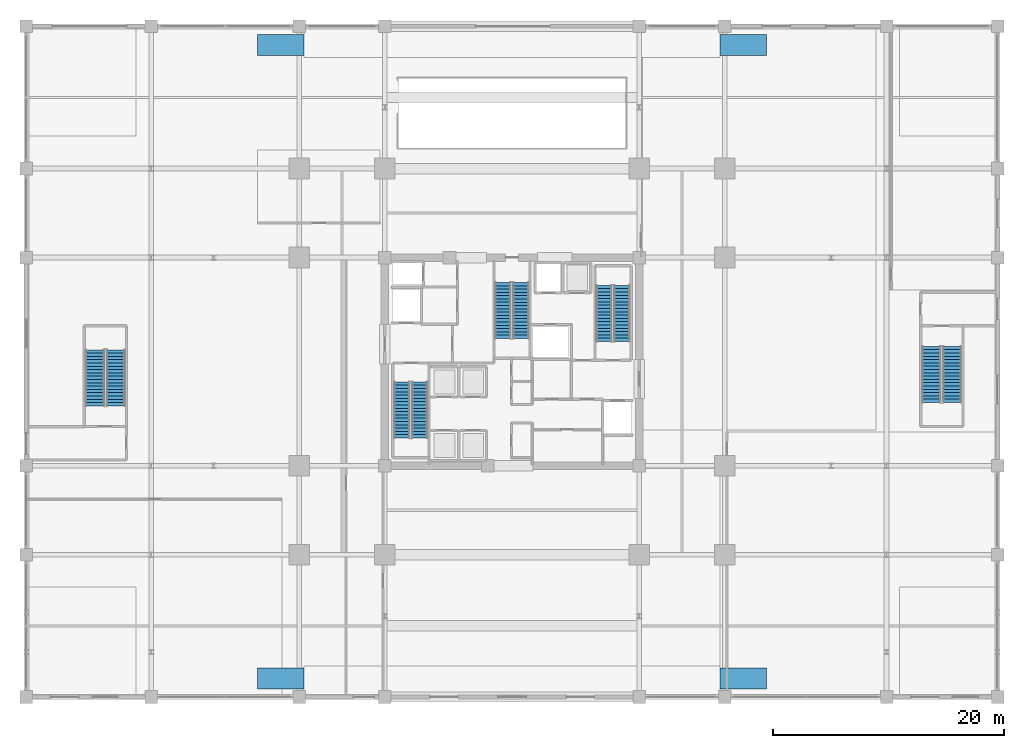
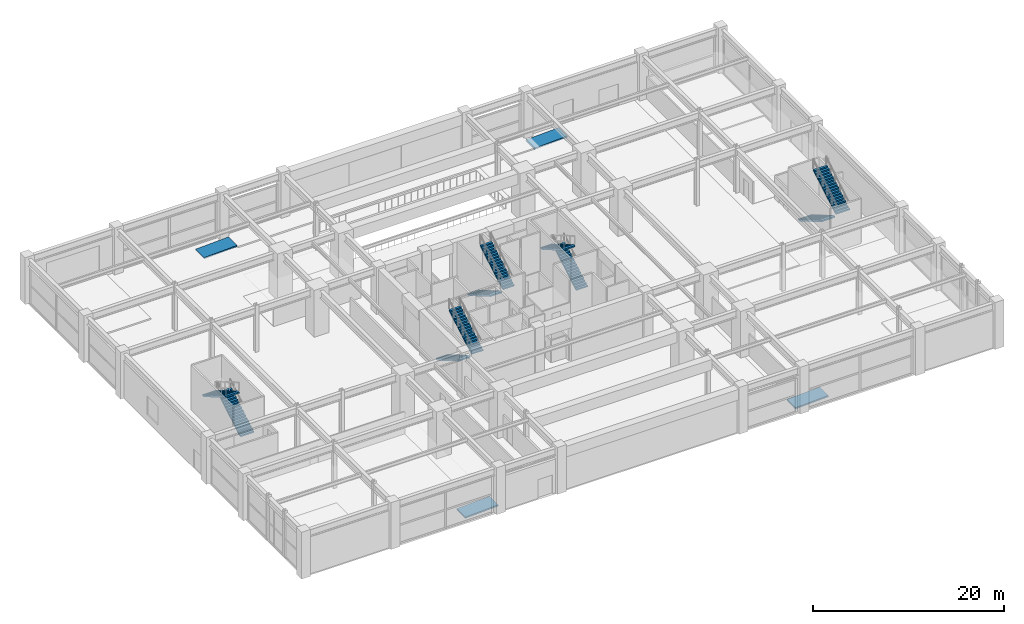
# One storey, part 34 of 41: 10 stair flights, 4 ramp flights, 9 elements without a shape of their own.
"""IFC4 building model written with IfcOpenShell, lengths in metres."""

from ifc_helpers import new_model, si_unit, direction, frame, origin, place, context, subcontext, project, spatial, polyline, outline, extrude, material, layer, layer_set, type_object, element, aggregate, save


model = new_model("IFC4")

# Units and contexts
model_context = context("Model", 3, precision=1e-05, world=origin(), true_north=direction((0.0, 1.0)))
body_context = subcontext(model_context, "Body", "Model", "MODEL_VIEW")
ifc_project = project(units=[si_unit("LENGTHUNIT", "METRE"), si_unit("AREAUNIT", "SQUARE_METRE"), si_unit("VOLUMEUNIT", "CUBIC_METRE"), si_unit("PLANEANGLEUNIT", "RADIAN"), si_unit("MASSUNIT", "GRAM", prefix="KILO")], contexts=[model_context])

# Site, building, storey
site_placement = place(None, origin())
site = spatial("IfcSite", under=ifc_project, at=site_placement, CompositionType="ELEMENT")
building_placement = place(site_placement, origin())
building = spatial("IfcBuilding", under=site, at=building_placement, Name="Kovane Verandah Tower", CompositionType="ELEMENT")
storey_placement = place(building_placement, origin())
storey = spatial("IfcBuildingStorey", under=building, at=storey_placement, Name="L00", CompositionType="ELEMENT", Elevation=0.0)

# Stair, stair flights
ifc_material = material(Name="Concrete C45/55", Category="concrete")
stair_type = type_object("IfcStairType", Name="ST-CORE-1380", PredefinedType="HALF_TURN_STAIR", material=ifc_material)
stair_1_placement = place(storey_placement, origin())
stair_1 = element("IfcStair", 1, at=stair_1_placement, inside=storey, type_object=stair_type, Name="L00 Exit Stair ST-01", PredefinedType="HALF_TURN_STAIR")
stair_flight_type = type_object("IfcStairFlightType", Name="STF-CORE-1380", PredefinedType="STRAIGHT", material=ifc_material)
stair_flight_1_placement = place(storey_placement, frame((30.489990234375, 25.75, 0.0), z_axis=(0.0, 0.0, 1.0), x_axis=(0.0, -1.0, 0.0)))
stair_flight_1 = element("IfcStairFlight", 2, at=stair_flight_1_placement, type_object=stair_flight_type, Name="ST-01 flight 1", NumberOfRisers=18, NumberOfTreads=17, PredefinedType="STRAIGHT", RiserHeight=0.166666667, TreadLength=0.285, context=body_context, shape_type="SweptSolid", body=[
    extrude(outline(polyline([(0.0, 0.0), (0.0, 0.166748046875), (0.284912109375, 0.166748046875), (0.284912109375, 0.333251953125), (0.570068359375, 0.333251953125), (0.570068359375, 0.5), (0.85498046875, 0.5), (0.85498046875, 0.666748046875), (1.139892578125, 0.666748046875), (1.139892578125, 0.833251953125), (1.425048828125, 0.833251953125), (1.425048828125, 1.0), (1.7099609375, 1.0), (1.7099609375, 1.166748046875), (1.9951171875, 1.166748046875), (1.9951171875, 1.333251953125), (2.280029296875, 1.333251953125), (2.280029296875, 1.5), (2.56494140625, 1.5), (2.56494140625, 1.666748046875), (2.85009765625, 1.666748046875), (2.85009765625, 1.833251953125), (3.135009765625, 1.833251953125), (3.135009765625, 2.0), (3.419921875, 2.0), (3.419921875, 2.166748046875), (3.705078125, 2.166748046875), (3.705078125, 2.333251953125), (3.989990234375, 2.333251953125), (3.989990234375, 2.5), (4.27490234375, 2.5), (4.27490234375, 2.666748046875), (4.56005859375, 2.666748046875), (4.56005859375, 2.833251953125), (4.844970703125, 2.833251953125), (4.844970703125, 3.0), (4.844970703125, 2.65966796875), (0.296875, 0.0), (0.0, 0.0)])), frame((0.0, 0.68994140625, 0.0), z_axis=(0.0, -1.0, 0.0), x_axis=(1.0, 0.0, 0.0)), (0.0, 0.0, 1.0), 1.3798828125),
])
stair_flight_2_placement = place(storey_placement, frame((32.030029296875, 20.905029296875, 3.0), z_axis=(0.0, 0.0, 1.0), x_axis=(0.0, 1.0, 0.0)))
stair_flight_2 = element("IfcStairFlight", 3, at=stair_flight_2_placement, type_object=stair_flight_type, Name="ST-01 flight 2", NumberOfRisers=18, NumberOfTreads=17, PredefinedType="STRAIGHT", RiserHeight=0.166666667, TreadLength=0.285, context=body_context, shape_type="SweptSolid", body=[
    extrude(outline(polyline([(0.0, 0.0), (0.0, 0.166748046875), (0.284912109375, 0.166748046875), (0.284912109375, 0.333251953125), (0.570068359375, 0.333251953125), (0.570068359375, 0.5), (0.85498046875, 0.5), (0.85498046875, 0.666748046875), (1.139892578125, 0.666748046875), (1.139892578125, 0.833251953125), (1.425048828125, 0.833251953125), (1.425048828125, 1.0), (1.7099609375, 1.0), (1.7099609375, 1.166748046875), (1.9951171875, 1.166748046875), (1.9951171875, 1.333251953125), (2.280029296875, 1.333251953125), (2.280029296875, 1.5), (2.56494140625, 1.5), (2.56494140625, 1.666748046875), (2.85009765625, 1.666748046875), (2.85009765625, 1.833251953125), (3.135009765625, 1.833251953125), (3.135009765625, 2.0), (3.419921875, 2.0), (3.419921875, 2.166748046875), (3.705078125, 2.166748046875), (3.705078125, 2.333251953125), (3.989990234375, 2.333251953125), (3.989990234375, 2.5), (4.27490234375, 2.5), (4.27490234375, 2.666748046875), (4.56005859375, 2.666748046875), (4.56005859375, 2.833251953125), (4.844970703125, 2.833251953125), (4.844970703125, 3.0), (4.844970703125, 2.65966796875), (0.296875, 0.0), (0.0, 0.0)])), frame((0.0, 0.68994140625, 0.0), z_axis=(0.0, -1.0, 0.0), x_axis=(1.0, 0.0, 0.0)), (0.0, 0.0, 1.0), 1.3798828125),
])
aggregate(stair_1, [stair_flight_1, stair_flight_2])

stair_2_placement = place(storey_placement, origin())
stair_2 = element("IfcStair", 4, at=stair_2_placement, inside=storey, type_object=stair_type, Name="L00 Exit Stair ST-02", PredefinedType="HALF_TURN_STAIR")
stair_flight_3_placement = place(storey_placement, frame((49.510009765625, 29.25, 0.0), z_axis=(0.0, 0.0, 1.0), x_axis=(0.0, 1.0, 0.0)))
stair_flight_3 = element("IfcStairFlight", 5, at=stair_flight_3_placement, type_object=stair_flight_type, Name="ST-02 flight 1", NumberOfRisers=18, NumberOfTreads=17, PredefinedType="STRAIGHT", RiserHeight=0.166666667, TreadLength=0.285, context=body_context, shape_type="SweptSolid", body=[
    extrude(outline(polyline([(0.0, 0.0), (0.0, 0.166748046875), (0.284912109375, 0.166748046875), (0.284912109375, 0.333251953125), (0.570068359375, 0.333251953125), (0.570068359375, 0.5), (0.85498046875, 0.5), (0.85498046875, 0.666748046875), (1.139892578125, 0.666748046875), (1.139892578125, 0.833251953125), (1.425048828125, 0.833251953125), (1.425048828125, 1.0), (1.7099609375, 1.0), (1.7099609375, 1.166748046875), (1.9951171875, 1.166748046875), (1.9951171875, 1.333251953125), (2.280029296875, 1.333251953125), (2.280029296875, 1.5), (2.56494140625, 1.5), (2.56494140625, 1.666748046875), (2.85009765625, 1.666748046875), (2.85009765625, 1.833251953125), (3.135009765625, 1.833251953125), (3.135009765625, 2.0), (3.419921875, 2.0), (3.419921875, 2.166748046875), (3.705078125, 2.166748046875), (3.705078125, 2.333251953125), (3.989990234375, 2.333251953125), (3.989990234375, 2.5), (4.27490234375, 2.5), (4.27490234375, 2.666748046875), (4.56005859375, 2.666748046875), (4.56005859375, 2.833251953125), (4.844970703125, 2.833251953125), (4.844970703125, 3.0), (4.844970703125, 2.65966796875), (0.296875, 0.0), (0.0, 0.0)])), frame((0.0, 0.68994140625, 0.0), z_axis=(0.0, -1.0, 0.0), x_axis=(1.0, 0.0, 0.0)), (0.0, 0.0, 1.0), 1.3798828125),
])
stair_flight_4_placement = place(storey_placement, frame((47.969970703125, 34.094970703125, 3.0), z_axis=(0.0, 0.0, 1.0), x_axis=(0.0, -1.0, 0.0)))
stair_flight_4 = element("IfcStairFlight", 6, at=stair_flight_4_placement, type_object=stair_flight_type, Name="ST-02 flight 2", NumberOfRisers=18, NumberOfTreads=17, PredefinedType="STRAIGHT", RiserHeight=0.166666667, TreadLength=0.285, context=body_context, shape_type="SweptSolid", body=[
    extrude(outline(polyline([(0.0, 0.0), (0.0, 0.166748046875), (0.284912109375, 0.166748046875), (0.284912109375, 0.333251953125), (0.570068359375, 0.333251953125), (0.570068359375, 0.5), (0.85498046875, 0.5), (0.85498046875, 0.666748046875), (1.139892578125, 0.666748046875), (1.139892578125, 0.833251953125), (1.425048828125, 0.833251953125), (1.425048828125, 1.0), (1.7099609375, 1.0), (1.7099609375, 1.166748046875), (1.9951171875, 1.166748046875), (1.9951171875, 1.333251953125), (2.280029296875, 1.333251953125), (2.280029296875, 1.5), (2.56494140625, 1.5), (2.56494140625, 1.666748046875), (2.85009765625, 1.666748046875), (2.85009765625, 1.833251953125), (3.135009765625, 1.833251953125), (3.135009765625, 2.0), (3.419921875, 2.0), (3.419921875, 2.166748046875), (3.705078125, 2.166748046875), (3.705078125, 2.333251953125), (3.989990234375, 2.333251953125), (3.989990234375, 2.5), (4.27490234375, 2.5), (4.27490234375, 2.666748046875), (4.56005859375, 2.666748046875), (4.56005859375, 2.833251953125), (4.844970703125, 2.833251953125), (4.844970703125, 3.0), (4.844970703125, 2.65966796875), (0.296875, 0.0), (0.0, 0.0)])), frame((0.0, 0.68994140625, 0.0), z_axis=(0.0, -1.0, 0.0), x_axis=(1.0, 0.0, 0.0)), (0.0, 0.0, 1.0), 1.3798828125),
])
aggregate(stair_2, [stair_flight_3, stair_flight_4])

stair_3_placement = place(storey_placement, origin())
stair_3 = element("IfcStair", 7, at=stair_3_placement, inside=storey, type_object=stair_type, Name="L00 Exit Stair ST-03", PredefinedType="HALF_TURN_STAIR")
stair_flight_5_placement = place(storey_placement, frame((39.22998046875, 34.35009765625, 0.0), z_axis=(0.0, 0.0, 1.0), x_axis=(0.0, -1.0, 0.0)))
stair_flight_5 = element("IfcStairFlight", 8, at=stair_flight_5_placement, type_object=stair_flight_type, Name="ST-03 flight 1", NumberOfRisers=18, NumberOfTreads=17, PredefinedType="STRAIGHT", RiserHeight=0.166666667, TreadLength=0.285, context=body_context, shape_type="SweptSolid", body=[
    extrude(outline(polyline([(0.0, 0.0), (0.0, 0.166748046875), (0.284912109375, 0.166748046875), (0.284912109375, 0.333251953125), (0.570068359375, 0.333251953125), (0.570068359375, 0.5), (0.85498046875, 0.5), (0.85498046875, 0.666748046875), (1.139892578125, 0.666748046875), (1.139892578125, 0.833251953125), (1.425048828125, 0.833251953125), (1.425048828125, 1.0), (1.7099609375, 1.0), (1.7099609375, 1.166748046875), (1.9951171875, 1.166748046875), (1.9951171875, 1.333251953125), (2.280029296875, 1.333251953125), (2.280029296875, 1.5), (2.56494140625, 1.5), (2.56494140625, 1.666748046875), (2.85009765625, 1.666748046875), (2.85009765625, 1.833251953125), (3.135009765625, 1.833251953125), (3.135009765625, 2.0), (3.419921875, 2.0), (3.419921875, 2.166748046875), (3.705078125, 2.166748046875), (3.705078125, 2.333251953125), (3.989990234375, 2.333251953125), (3.989990234375, 2.5), (4.27490234375, 2.5), (4.27490234375, 2.666748046875), (4.56005859375, 2.666748046875), (4.56005859375, 2.833251953125), (4.844970703125, 2.833251953125), (4.844970703125, 3.0), (4.844970703125, 2.65966796875), (0.296875, 0.0), (0.0, 0.0)])), frame((0.0, 0.68994140625, 0.0), z_axis=(0.0, -1.0, 0.0), x_axis=(1.0, 0.0, 0.0)), (0.0, 0.0, 1.0), 1.3798828125),
])
stair_flight_6_placement = place(storey_placement, frame((40.77001953125, 29.5048828125, 3.0), z_axis=(0.0, 0.0, 1.0), x_axis=(0.0, 1.0, 0.0)))
stair_flight_6 = element("IfcStairFlight", 9, at=stair_flight_6_placement, type_object=stair_flight_type, Name="ST-03 flight 2", NumberOfRisers=18, NumberOfTreads=17, PredefinedType="STRAIGHT", RiserHeight=0.166666667, TreadLength=0.285, context=body_context, shape_type="SweptSolid", body=[
    extrude(outline(polyline([(0.0, 0.0), (0.0, 0.166748046875), (0.284912109375, 0.166748046875), (0.284912109375, 0.333251953125), (0.570068359375, 0.333251953125), (0.570068359375, 0.5), (0.85498046875, 0.5), (0.85498046875, 0.666748046875), (1.139892578125, 0.666748046875), (1.139892578125, 0.833251953125), (1.425048828125, 0.833251953125), (1.425048828125, 1.0), (1.7099609375, 1.0), (1.7099609375, 1.166748046875), (1.9951171875, 1.166748046875), (1.9951171875, 1.333251953125), (2.280029296875, 1.333251953125), (2.280029296875, 1.5), (2.56494140625, 1.5), (2.56494140625, 1.666748046875), (2.85009765625, 1.666748046875), (2.85009765625, 1.833251953125), (3.135009765625, 1.833251953125), (3.135009765625, 2.0), (3.419921875, 2.0), (3.419921875, 2.166748046875), (3.705078125, 2.166748046875), (3.705078125, 2.333251953125), (3.989990234375, 2.333251953125), (3.989990234375, 2.5), (4.27490234375, 2.5), (4.27490234375, 2.666748046875), (4.56005859375, 2.666748046875), (4.56005859375, 2.833251953125), (4.844970703125, 2.833251953125), (4.844970703125, 3.0), (4.844970703125, 2.65966796875), (0.296875, 0.0), (0.0, 0.0)])), frame((0.0, 0.68994140625, 0.0), z_axis=(0.0, -1.0, 0.0), x_axis=(1.0, 0.0, 0.0)), (0.0, 0.0, 1.0), 1.3798828125),
])
aggregate(stair_3, [stair_flight_5, stair_flight_6])

stair_4_placement = place(storey_placement, origin())
stair_4 = element("IfcStair", 10, at=stair_4_placement, inside=storey, type_object=stair_type, Name="L00 Exit Stair ST-04", PredefinedType="HALF_TURN_STAIR")
stair_flight_7_placement = place(storey_placement, frame((5.735107421875, 23.679931640625, 0.0), z_axis=(0.0, 0.0, 1.0), x_axis=(0.0, 1.0, 0.0)))
stair_flight_7 = element("IfcStairFlight", 11, at=stair_flight_7_placement, type_object=stair_flight_type, Name="ST-04 flight 1", NumberOfRisers=18, NumberOfTreads=17, PredefinedType="STRAIGHT", RiserHeight=0.166666667, TreadLength=0.285, context=body_context, shape_type="SweptSolid", body=[
    extrude(outline(polyline([(0.0, 0.0), (0.0, 0.166748046875), (0.284912109375, 0.166748046875), (0.284912109375, 0.333251953125), (0.570068359375, 0.333251953125), (0.570068359375, 0.5), (0.85498046875, 0.5), (0.85498046875, 0.666748046875), (1.139892578125, 0.666748046875), (1.139892578125, 0.833251953125), (1.425048828125, 0.833251953125), (1.425048828125, 1.0), (1.7099609375, 1.0), (1.7099609375, 1.166748046875), (1.9951171875, 1.166748046875), (1.9951171875, 1.333251953125), (2.280029296875, 1.333251953125), (2.280029296875, 1.5), (2.56494140625, 1.5), (2.56494140625, 1.666748046875), (2.85009765625, 1.666748046875), (2.85009765625, 1.833251953125), (3.135009765625, 1.833251953125), (3.135009765625, 2.0), (3.419921875, 2.0), (3.419921875, 2.166748046875), (3.705078125, 2.166748046875), (3.705078125, 2.333251953125), (3.989990234375, 2.333251953125), (3.989990234375, 2.5), (4.27490234375, 2.5), (4.27490234375, 2.666748046875), (4.56005859375, 2.666748046875), (4.56005859375, 2.833251953125), (4.844970703125, 2.833251953125), (4.844970703125, 3.0), (4.844970703125, 2.65966796875), (0.296875, 0.0), (0.0, 0.0)])), frame((0.0, 0.824951171875, 0.0), z_axis=(0.0, -1.0, 0.0), x_axis=(1.0, 0.0, 0.0)), (0.0, 0.0, 1.0), 1.64990234375),
])
stair_flight_8_placement = place(storey_placement, frame((3.925048828125, 28.52490234375, 3.0), z_axis=(0.0, 0.0, 1.0), x_axis=(0.0, -1.0, 0.0)))
stair_flight_8 = element("IfcStairFlight", 12, at=stair_flight_8_placement, type_object=stair_flight_type, Name="ST-04 flight 2", NumberOfRisers=18, NumberOfTreads=17, PredefinedType="STRAIGHT", RiserHeight=0.166666667, TreadLength=0.285, context=body_context, shape_type="SweptSolid", body=[
    extrude(outline(polyline([(0.0, 0.0), (0.0, 0.166748046875), (0.284912109375, 0.166748046875), (0.284912109375, 0.333251953125), (0.570068359375, 0.333251953125), (0.570068359375, 0.5), (0.85498046875, 0.5), (0.85498046875, 0.666748046875), (1.139892578125, 0.666748046875), (1.139892578125, 0.833251953125), (1.425048828125, 0.833251953125), (1.425048828125, 1.0), (1.7099609375, 1.0), (1.7099609375, 1.166748046875), (1.9951171875, 1.166748046875), (1.9951171875, 1.333251953125), (2.280029296875, 1.333251953125), (2.280029296875, 1.5), (2.56494140625, 1.5), (2.56494140625, 1.666748046875), (2.85009765625, 1.666748046875), (2.85009765625, 1.833251953125), (3.135009765625, 1.833251953125), (3.135009765625, 2.0), (3.419921875, 2.0), (3.419921875, 2.166748046875), (3.705078125, 2.166748046875), (3.705078125, 2.333251953125), (3.989990234375, 2.333251953125), (3.989990234375, 2.5), (4.27490234375, 2.5), (4.27490234375, 2.666748046875), (4.56005859375, 2.666748046875), (4.56005859375, 2.833251953125), (4.844970703125, 2.833251953125), (4.844970703125, 3.0), (4.844970703125, 2.65966796875), (0.296875, 0.0), (0.0, 0.0)])), frame((0.0, 0.824951171875, 0.0), z_axis=(0.0, -1.0, 0.0), x_axis=(1.0, 0.0, 0.0)), (0.0, 0.0, 1.0), 1.64990234375),
])
aggregate(stair_4, [stair_flight_7, stair_flight_8])

stair_5_placement = place(storey_placement, origin())
stair_5 = element("IfcStair", 13, at=stair_5_placement, inside=storey, type_object=stair_type, Name="L00 Exit Stair ST-05", PredefinedType="HALF_TURN_STAIR")
stair_flight_9_placement = place(storey_placement, frame((76.264892578125, 28.820068359375, 0.0), z_axis=(0.0, 0.0, 1.0), x_axis=(0.0, -1.0, 0.0)))
stair_flight_9 = element("IfcStairFlight", 14, at=stair_flight_9_placement, type_object=stair_flight_type, Name="ST-05 flight 1", NumberOfRisers=18, NumberOfTreads=17, PredefinedType="STRAIGHT", RiserHeight=0.166666667, TreadLength=0.285, context=body_context, shape_type="SweptSolid", body=[
    extrude(outline(polyline([(0.0, 0.0), (0.0, 0.166748046875), (0.284912109375, 0.166748046875), (0.284912109375, 0.333251953125), (0.570068359375, 0.333251953125), (0.570068359375, 0.5), (0.85498046875, 0.5), (0.85498046875, 0.666748046875), (1.139892578125, 0.666748046875), (1.139892578125, 0.833251953125), (1.425048828125, 0.833251953125), (1.425048828125, 1.0), (1.7099609375, 1.0), (1.7099609375, 1.166748046875), (1.9951171875, 1.166748046875), (1.9951171875, 1.333251953125), (2.280029296875, 1.333251953125), (2.280029296875, 1.5), (2.56494140625, 1.5), (2.56494140625, 1.666748046875), (2.85009765625, 1.666748046875), (2.85009765625, 1.833251953125), (3.135009765625, 1.833251953125), (3.135009765625, 2.0), (3.419921875, 2.0), (3.419921875, 2.166748046875), (3.705078125, 2.166748046875), (3.705078125, 2.333251953125), (3.989990234375, 2.333251953125), (3.989990234375, 2.5), (4.27490234375, 2.5), (4.27490234375, 2.666748046875), (4.56005859375, 2.666748046875), (4.56005859375, 2.833251953125), (4.844970703125, 2.833251953125), (4.844970703125, 3.0), (4.844970703125, 2.65966796875), (0.296875, 0.0), (0.0, 0.0)])), frame((0.0, 0.824951171875, 0.0), z_axis=(0.0, -1.0, 0.0), x_axis=(1.0, 0.0, 0.0)), (0.0, 0.0, 1.0), 1.64990234375),
])
stair_flight_10_placement = place(storey_placement, frame((78.074951171875, 23.97509765625, 3.0), z_axis=(0.0, 0.0, 1.0), x_axis=(0.0, 1.0, 0.0)))
stair_flight_10 = element("IfcStairFlight", 15, at=stair_flight_10_placement, type_object=stair_flight_type, Name="ST-05 flight 2", NumberOfRisers=18, NumberOfTreads=17, PredefinedType="STRAIGHT", RiserHeight=0.166666667, TreadLength=0.285, context=body_context, shape_type="SweptSolid", body=[
    extrude(outline(polyline([(0.0, 0.0), (0.0, 0.166748046875), (0.284912109375, 0.166748046875), (0.284912109375, 0.333251953125), (0.570068359375, 0.333251953125), (0.570068359375, 0.5), (0.85498046875, 0.5), (0.85498046875, 0.666748046875), (1.139892578125, 0.666748046875), (1.139892578125, 0.833251953125), (1.425048828125, 0.833251953125), (1.425048828125, 1.0), (1.7099609375, 1.0), (1.7099609375, 1.166748046875), (1.9951171875, 1.166748046875), (1.9951171875, 1.333251953125), (2.280029296875, 1.333251953125), (2.280029296875, 1.5), (2.56494140625, 1.5), (2.56494140625, 1.666748046875), (2.85009765625, 1.666748046875), (2.85009765625, 1.833251953125), (3.135009765625, 1.833251953125), (3.135009765625, 2.0), (3.419921875, 2.0), (3.419921875, 2.166748046875), (3.705078125, 2.166748046875), (3.705078125, 2.333251953125), (3.989990234375, 2.333251953125), (3.989990234375, 2.5), (4.27490234375, 2.5), (4.27490234375, 2.666748046875), (4.56005859375, 2.666748046875), (4.56005859375, 2.833251953125), (4.844970703125, 2.833251953125), (4.844970703125, 3.0), (4.844970703125, 2.65966796875), (0.296875, 0.0), (0.0, 0.0)])), frame((0.0, 0.824951171875, 0.0), z_axis=(0.0, -1.0, 0.0), x_axis=(1.0, 0.0, 0.0)), (0.0, 0.0, 1.0), 1.64990234375),
])
aggregate(stair_5, [stair_flight_9, stair_flight_10])

# Ramp, ramp flight
ramp_type = type_object("IfcRampType", Name="RMP-PED-180", PredefinedType="STRAIGHT_RUN_RAMP", material=ifc_material)
ramp_1_placement = place(storey_placement, origin())
ramp_1 = element("IfcRamp", 16, at=ramp_1_placement, inside=storey, type_object=ramp_type, Name="L00 Accessible Pedestrian Ramp PR-01", PredefinedType="STRAIGHT_RUN_RAMP")
ifc_layer = layer(ifc_material, 0.179931640625)
ifc_layer_set = layer_set([ifc_layer], Name="Concrete C45/55")
ramp_flight_type = type_object("IfcRampFlightType", Name="RMPF-PED-180", PredefinedType="STRAIGHT", material=ifc_layer_set)
ramp_flight_1_placement = place(storey_placement, frame((18.0, -0.800048828125, 0.0), z_axis=(-0.044937468497, 0.0, 0.998989801712), x_axis=(0.998989801712, 0.0, 0.044937468497)))
ramp_flight_1 = element("IfcRampFlight", 17, at=ramp_flight_1_placement, type_object=ramp_flight_type, Name="PR-01 1:22 Accessible Flight", PredefinedType="STRAIGHT", context=body_context, shape_type="SweptSolid", body=[
    extrude(outline(polyline([(0.0, 0.0), (4.004044879281201, 0.0), (4.004044879281201, 1.8000488281250004), (0.0, 1.8000488281250004), (0.0, 0.0)])), origin(), (0.0, 0.0, -1.0), 0.179931640625),
])
aggregate(ramp_1, [ramp_flight_1])

ramp_2_placement = place(storey_placement, origin())
ramp_2 = element("IfcRamp", 18, at=ramp_2_placement, inside=storey, type_object=ramp_type, Name="L00 Accessible Pedestrian Ramp PR-02", PredefinedType="STRAIGHT_RUN_RAMP")
ramp_flight_2_placement = place(storey_placement, frame((58.0, -0.800048828125, 0.0), z_axis=(-0.044937468497, 0.0, 0.998989801712), x_axis=(0.998989801712, 0.0, 0.044937468497)))
ramp_flight_2 = element("IfcRampFlight", 19, at=ramp_flight_2_placement, type_object=ramp_flight_type, Name="PR-02 1:22 Accessible Flight", PredefinedType="STRAIGHT", context=body_context, shape_type="SweptSolid", body=[
    extrude(outline(polyline([(0.0, 0.0), (4.004044879281201, 0.0), (4.004044879281201, 1.8000488281250004), (0.0, 1.8000488281250004), (0.0, 0.0)])), origin(), (0.0, 0.0, -1.0), 0.179931640625),
])
aggregate(ramp_2, [ramp_flight_2])

ramp_3_placement = place(storey_placement, origin())
ramp_3 = element("IfcRamp", 20, at=ramp_3_placement, inside=storey, type_object=ramp_type, Name="L00 Accessible Pedestrian Ramp PR-03", PredefinedType="STRAIGHT_RUN_RAMP")
ramp_flight_3_placement = place(storey_placement, frame((18.0, 54.0, 0.0), z_axis=(-0.044937468497, 0.0, 0.998989801712), x_axis=(0.998989801712, 0.0, 0.044937468497)))
ramp_flight_3 = element("IfcRampFlight", 21, at=ramp_flight_3_placement, type_object=ramp_flight_type, Name="PR-03 1:22 Accessible Flight", PredefinedType="STRAIGHT", context=body_context, shape_type="SweptSolid", body=[
    extrude(outline(polyline([(0.0, 0.0), (4.004044879281201, 0.0), (4.004044879281201, 1.8000488281250004), (0.0, 1.8000488281250004), (0.0, 0.0)])), origin(), (0.0, 0.0, -1.0), 0.179931640625),
])
aggregate(ramp_3, [ramp_flight_3])

ramp_4_placement = place(storey_placement, origin())
ramp_4 = element("IfcRamp", 22, at=ramp_4_placement, inside=storey, type_object=ramp_type, Name="L00 Accessible Pedestrian Ramp PR-04", PredefinedType="STRAIGHT_RUN_RAMP")
ramp_flight_4_placement = place(storey_placement, frame((58.0, 54.0, 0.0), z_axis=(-0.044937468497, 0.0, 0.998989801712), x_axis=(0.998989801712, 0.0, 0.044937468497)))
ramp_flight_4 = element("IfcRampFlight", 23, at=ramp_flight_4_placement, type_object=ramp_flight_type, Name="PR-04 1:22 Accessible Flight", PredefinedType="STRAIGHT", context=body_context, shape_type="SweptSolid", body=[
    extrude(outline(polyline([(0.0, 0.0), (4.004044879281201, 0.0), (4.004044879281201, 1.8000488281250004), (0.0, 1.8000488281250004), (0.0, 0.0)])), origin(), (0.0, 0.0, -1.0), 0.179931640625),
])
aggregate(ramp_4, [ramp_flight_4])

save(model, "model.ifc")
